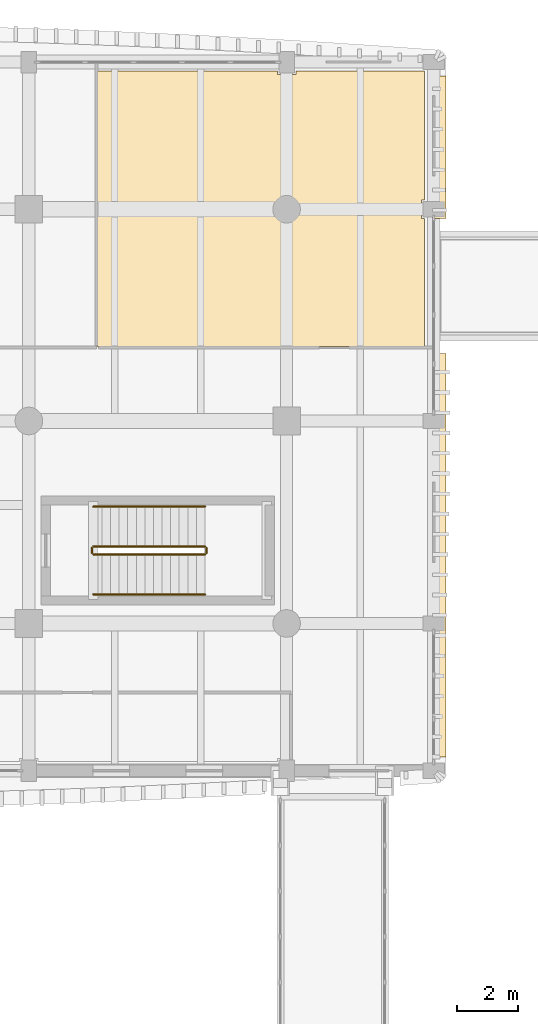
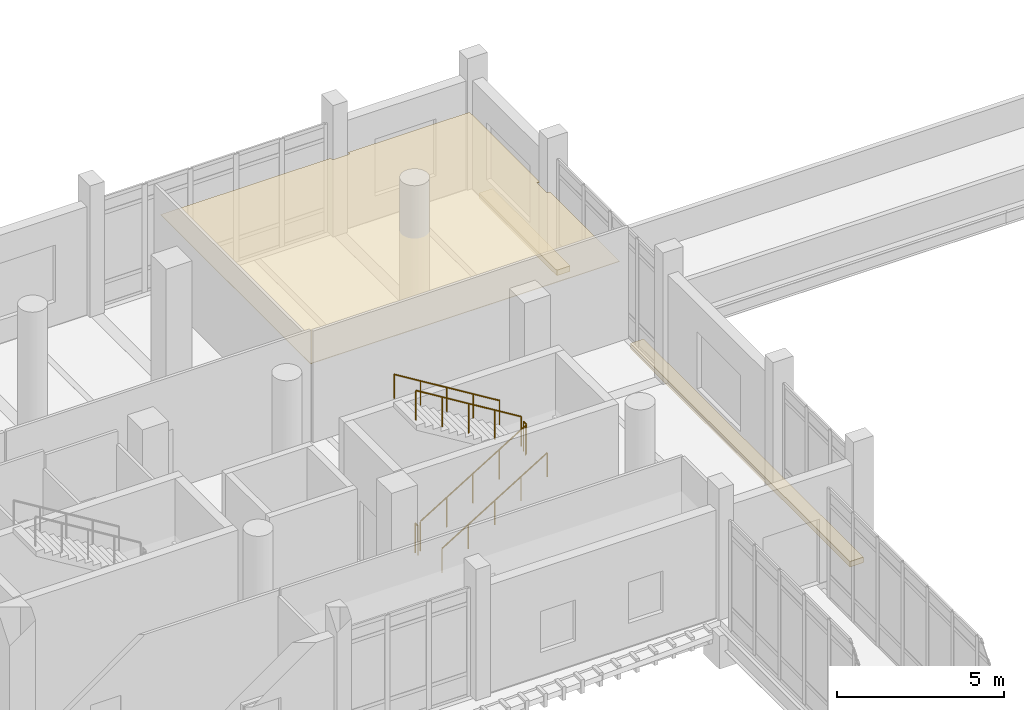
# One storey, part 88 of 101: 6 railings, 3 coverings.
"""IFC4 building model written with IfcOpenShell, lengths in metres."""

from ifc_helpers import new_model, si_unit, direction, frame, origin, origin_2d, place, context, subcontext, project, spatial, polyline, circle, outline, extrude, material, layer, layer_set, type_object, element, save


model = new_model("IFC4")

# Units and contexts
model_context = context("Model", 3, precision=1e-05, world=origin(), true_north=direction((0.0, 1.0)))
body_context = subcontext(model_context, "Body", "Model", "MODEL_VIEW")
ifc_project = project(units=[si_unit("LENGTHUNIT", "METRE"), si_unit("AREAUNIT", "SQUARE_METRE"), si_unit("VOLUMEUNIT", "CUBIC_METRE"), si_unit("PLANEANGLEUNIT", "RADIAN"), si_unit("MASSUNIT", "GRAM", prefix="KILO")], contexts=[model_context])

# Site, building, storey
site_placement = place(None, origin())
site = spatial("IfcSite", under=ifc_project, at=site_placement, CompositionType="ELEMENT")
building_placement = place(site_placement, origin())
building = spatial("IfcBuilding", under=site, at=building_placement, Name="Dornvale Research Institute", CompositionType="ELEMENT")
storey_placement = place(building_placement, frame((0.0, 0.0, 10.199951171875)))
storey = spatial("IfcBuildingStorey", under=building, at=storey_placement, Name="L02", CompositionType="ELEMENT", Elevation=10.199951171875)

# Coverings
ifc_material_1 = material(Name="Mineral-Fibre Acoustic Lay-In Ceiling Tile System")
ifc_layer_1 = layer(ifc_material_1, 0.02001953125)
ifc_layer_set_1 = layer_set([ifc_layer_1], Name="Mineral-Fibre Acoustic Lay-In Ceiling Tile System")
covering_type_1 = type_object("IfcCoveringType", Name="Covering_Acoustic_Ceiling", PredefinedType="CEILING", material=ifc_layer_set_1)
covering_1_placement = place(storey_placement, frame((0.0, 0.0, 2.85009765625)))
element("IfcCovering", 1, at=covering_1_placement, inside=storey, type_object=covering_type_1, Name="L02 Principal Investigator Office L02-E suspended ceiling", PredefinedType="CEILING", context=body_context, shape_type="SweptSolid", body=[
    extrude(outline(polyline([(45.800048828125, 117.60009765625), (45.800048828125, 117.0), (45.89990234375, 117.0), (45.89990234375, 112.820068359375), (35.219970703125, 112.820068359375), (35.219970703125, 121.800048828125), (41.10009765625, 121.800048828125), (41.10009765625, 121.699951171875), (41.699951171875, 121.699951171875), (41.699951171875, 121.800048828125), (45.800048828125, 121.800048828125), (45.89990234375, 121.800048828125), (45.89990234375, 117.60009765625), (45.800048828125, 117.60009765625)])), origin(), (0.0, 0.0, 1.0), 0.02001953125),
])
ifc_material_2 = material(Name="Polychrome Glazed Terracotta Visor Rib Ceramic", Category="masonry")
ifc_layer_2 = layer(ifc_material_2, 0.199951171875)
ifc_layer_set_2 = layer_set([ifc_layer_2], Name="Polychrome Glazed Terracotta Visor Rib Ceramic")
covering_type_2 = type_object("IfcCoveringType", Name="Covering_VisorBrim_Shelf", PredefinedType="CLADDING", material=ifc_layer_set_2)
covering_2_placement = place(storey_placement, frame((0.0, 0.0, -0.280029296875)))
element("IfcCovering", 2, at=covering_2_placement, inside=storey, type_object=covering_type_2, Name="L02 V5 canted bowed-brim visor hood #11", PredefinedType="CLADDING", context=body_context, shape_type="SweptSolid", body=[
    extrude(outline(polyline([(46.603271484375, 117.0), (46.139892578125, 117.0), (46.139892578125, 121.64990234375), (46.603271484375, 121.64990234375), (46.603271484375, 117.0)])), origin(), (0.0, 0.0, 1.0), 0.2001953125),
])
covering_3_placement = place(storey_placement, frame((0.0, 0.0, -0.280029296875)))
element("IfcCovering", 3, at=covering_3_placement, inside=storey, type_object=covering_type_2, Name="L02 V5 canted bowed-brim visor hood #12", PredefinedType="CLADDING", context=body_context, shape_type="SweptSolid", body=[
    extrude(outline(polyline([(46.139892578125, 112.60009765625), (46.603271484375, 112.60009765625), (46.603271484375, 99.449951171875), (46.139892578125, 99.449951171875), (46.139892578125, 112.60009765625)])), origin(), (0.0, 0.0, 1.0), 0.2001953125),
])

# Railings
ifc_material_3 = material(Name="Galvanized Painted Tubular Steel Stair Rail", Category="steel")
ifc_layer_3 = layer(ifc_material_3, 0.050048828125)
ifc_layer_set_3 = layer_set([ifc_layer_3], Name="Galvanized Painted Tubular Steel Stair Rail")
railing_type_1 = type_object("IfcRailingType", Name="Railing_Stair_Guard_1100", PredefinedType="GUARDRAIL", material=ifc_layer_set_3)
railing_1_placement = place(storey_placement, frame((35.10009765625, 106.050048828125, 0.17138671875)))
element("IfcRailing", 4, at=railing_1_placement, inside=storey, type_object=railing_type_1, Name="L02 ST-2 stair guard 1", PredefinedType="GUARDRAIL", context=body_context, shape_type="SweptSolid", body=[
    extrude(circle(Radius=0.02392578125, at=origin_2d()), frame((0.0, 0.0, 1.076171875), z_axis=(0.852824790078, 0.0, 0.522197163366), x_axis=(0.0, 1.0, 0.0)), (0.0, 0.0, 1.0), 4.26806640625),
    extrude(circle(Radius=0.02099609375, at=origin_2d()), origin(), (0.0, 0.0, 1.0), 1.052001953125),
    extrude(circle(Radius=0.02099609375, at=origin_2d()), frame((0.909912109375, 0.0, 0.55712890625)), (0.0, 0.0, 1.0), 1.052001953125),
    extrude(circle(Radius=0.02099609375, at=origin_2d()), frame((1.81982421875, 0.0, 1.1142578125)), (0.0, 0.0, 1.0), 1.052001953125),
    extrude(circle(Radius=0.02099609375, at=origin_2d()), frame((2.72998046875, 0.0, 1.671630859375)), (0.0, 0.0, 1.0), 1.052001953125),
    extrude(circle(Radius=0.02099609375, at=origin_2d()), frame((3.639892578125, 0.0, 2.228759765625)), (0.0, 0.0, 1.0), 1.052001953125),
])
railing_2_placement = place(storey_placement, frame((38.7900390625, 106.10009765625, 2.400146484375)))
element("IfcRailing", 5, at=railing_2_placement, inside=storey, type_object=railing_type_1, Name="L02 ST-2 stair guard 2", PredefinedType="GUARDRAIL", context=body_context, shape_type="SweptSolid", body=[
    extrude(circle(Radius=0.02392578125, at=origin_2d()), frame((0.0, 0.0, 1.076171875), z_axis=(0.0, 1.0, 0.0), x_axis=(-1.0, 0.0, 0.0)), (0.0, 0.0, 1.0), 0.159912109375),
    extrude(circle(Radius=0.02099609375, at=origin_2d()), origin(), (0.0, 0.0, 1.0), 1.052001953125),
    extrude(circle(Radius=0.02099609375, at=origin_2d()), frame((0.0, 0.159912109375, 0.0)), (0.0, 0.0, 1.0), 1.052001953125),
])
railing_3_placement = place(storey_placement, frame((38.739990234375, 106.31005859375, 2.571533203125)))
element("IfcRailing", 6, at=railing_3_placement, inside=storey, type_object=railing_type_1, Name="L02 ST-2 stair guard 3", PredefinedType="GUARDRAIL", context=body_context, shape_type="SweptSolid", body=[
    extrude(circle(Radius=0.02392578125, at=origin_2d()), frame((0.0, 0.0, 1.076171875), z_axis=(-0.852850264322, 0.0, 0.5221555579), x_axis=(0.0, -1.0, 0.0)), (0.0, 0.0, 1.0), 4.267822265625),
    extrude(circle(Radius=0.02099609375, at=origin_2d()), origin(), (0.0, 0.0, 1.0), 1.052001953125),
    extrude(circle(Radius=0.02099609375, at=origin_2d()), frame((-0.909912109375, 0.0, 0.55712890625)), (0.0, 0.0, 1.0), 1.052001953125),
    extrude(circle(Radius=0.02099609375, at=origin_2d()), frame((-1.81982421875, 0.0, 1.1142578125)), (0.0, 0.0, 1.0), 1.052001953125),
    extrude(circle(Radius=0.02099609375, at=origin_2d()), frame((-2.72998046875, 0.0, 1.67138671875)), (0.0, 0.0, 1.0), 1.052001953125),
    extrude(circle(Radius=0.02099609375, at=origin_2d()), frame((-3.639892578125, 0.0, 2.228515625)), (0.0, 0.0, 1.0), 1.052001953125),
])
railing_4_placement = place(storey_placement, frame((35.050048828125, 106.10009765625, 0.0)))
element("IfcRailing", 7, at=railing_4_placement, inside=storey, type_object=railing_type_1, Name="L02 ST-2 stair guard 4", PredefinedType="GUARDRAIL", context=body_context, shape_type="SweptSolid", body=[
    extrude(circle(Radius=0.02392578125, at=origin_2d()), frame((0.0, 0.0, 1.076171875), z_axis=(0.0, 1.0, 0.0), x_axis=(-1.0, 0.0, 0.0)), (0.0, 0.0, 1.0), 0.159912109375),
    extrude(circle(Radius=0.02099609375, at=origin_2d()), origin(), (0.0, 0.0, 1.0), 1.052001953125),
    extrude(circle(Radius=0.02099609375, at=origin_2d()), frame((0.0, 0.159912109375, 0.0)), (0.0, 0.0, 1.0), 1.052001953125),
])
ifc_material_4 = material(Name="Galvanized Painted Tubular Steel Stair Rail", Category="steel")
ifc_layer_4 = layer(ifc_material_4, 0.044921875)
ifc_layer_set_4 = layer_set([ifc_layer_4], Name="Galvanized Painted Tubular Steel Stair Rail")
railing_type_2 = type_object("IfcRailingType", Name="Railing_Stair_Handrail_900", PredefinedType="HANDRAIL", material=ifc_layer_set_4)
railing_5_placement = place(storey_placement, frame((35.10009765625, 104.75, 0.17138671875)))
element("IfcRailing", 8, at=railing_5_placement, inside=storey, type_object=railing_type_2, Name="L02 ST-2 stair handrail 1", PredefinedType="HANDRAIL", context=body_context, shape_type="SweptSolid", body=[
    extrude(circle(Radius=0.02392578125, at=origin_2d()), frame((0.0, 0.0, 0.8759765625), z_axis=(0.852824790078, 0.0, 0.522197163366), x_axis=(0.0, 1.0, 0.0)), (0.0, 0.0, 1.0), 4.26806640625),
    extrude(circle(Radius=0.02099609375, at=origin_2d()), origin(), (0.0, 0.0, 1.0), 0.851806640625),
    extrude(circle(Radius=0.02099609375, at=origin_2d()), frame((0.909912109375, 0.0, 0.55712890625)), (0.0, 0.0, 1.0), 0.851806640625),
    extrude(circle(Radius=0.02099609375, at=origin_2d()), frame((1.81982421875, 0.0, 1.1142578125)), (0.0, 0.0, 1.0), 0.851806640625),
    extrude(circle(Radius=0.02099609375, at=origin_2d()), frame((2.72998046875, 0.0, 1.671630859375)), (0.0, 0.0, 1.0), 0.851806640625),
    extrude(circle(Radius=0.02099609375, at=origin_2d()), frame((3.639892578125, 0.0, 2.228759765625)), (0.0, 0.0, 1.0), 0.851806640625),
])
railing_6_placement = place(storey_placement, frame((38.739990234375, 107.610107421875, 2.571533203125)))
element("IfcRailing", 9, at=railing_6_placement, inside=storey, type_object=railing_type_2, Name="L02 ST-2 stair handrail 2", PredefinedType="HANDRAIL", context=body_context, shape_type="SweptSolid", body=[
    extrude(circle(Radius=0.02392578125, at=origin_2d()), frame((0.0, 0.0, 0.8759765625), z_axis=(-0.852850264322, 0.0, 0.5221555579), x_axis=(0.0, -1.0, 0.0)), (0.0, 0.0, 1.0), 4.267822265625),
    extrude(circle(Radius=0.02099609375, at=origin_2d()), origin(), (0.0, 0.0, 1.0), 0.851806640625),
    extrude(circle(Radius=0.02099609375, at=origin_2d()), frame((-0.909912109375, 0.0, 0.55712890625)), (0.0, 0.0, 1.0), 0.851806640625),
    extrude(circle(Radius=0.02099609375, at=origin_2d()), frame((-1.81982421875, 0.0, 1.1142578125)), (0.0, 0.0, 1.0), 0.851806640625),
    extrude(circle(Radius=0.02099609375, at=origin_2d()), frame((-2.72998046875, 0.0, 1.67138671875)), (0.0, 0.0, 1.0), 0.851806640625),
    extrude(circle(Radius=0.02099609375, at=origin_2d()), frame((-3.639892578125, 0.0, 2.228515625)), (0.0, 0.0, 1.0), 0.851806640625),
])

save(model, "model.ifc")
